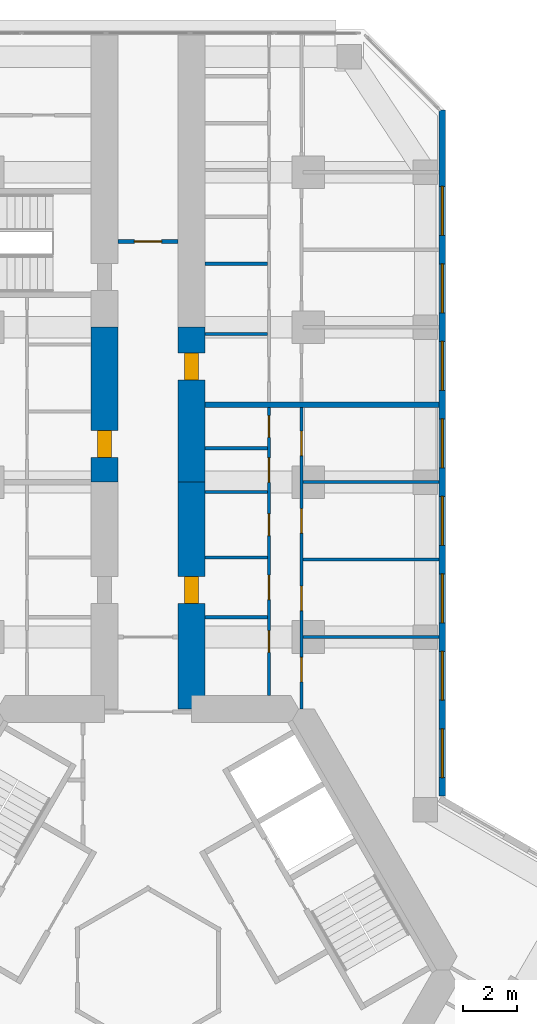
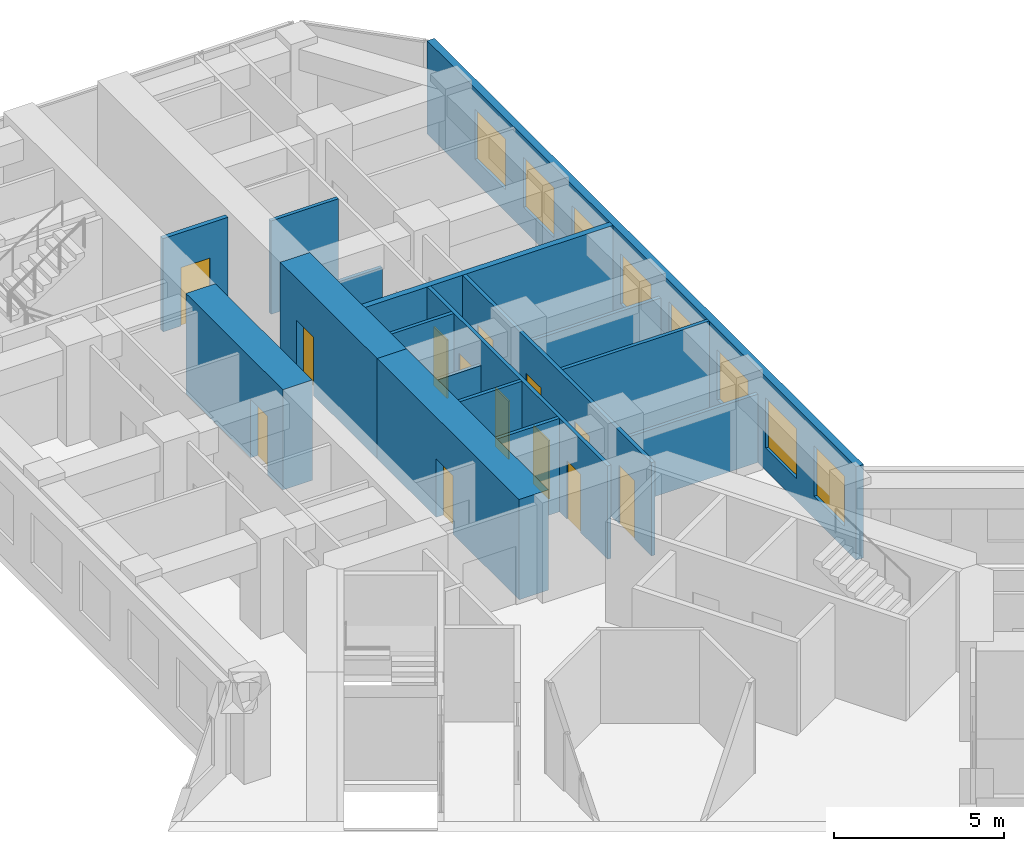
# One storey, part 18 of 21: 17 walls, 13 doors, 8 windows, 21 openings.
"""IFC4 building model written with IfcOpenShell, lengths in metres."""

from ifc_helpers import new_model, si_unit, direction, frame, frame_2d, origin, place, context, subcontext, project, spatial, rectangle, extrude, material, layer, layer_set, type_object, element, fill, save


model = new_model("IFC4")

# Units and contexts
model_context = context("Model", 3, precision=1e-05, world=origin(), true_north=direction((0.0, 1.0)))
body_context = subcontext(model_context, "Body", "Model", "MODEL_VIEW")
ifc_project = project(units=[si_unit("LENGTHUNIT", "METRE"), si_unit("AREAUNIT", "SQUARE_METRE"), si_unit("VOLUMEUNIT", "CUBIC_METRE"), si_unit("PLANEANGLEUNIT", "RADIAN"), si_unit("MASSUNIT", "GRAM", prefix="KILO")], contexts=[model_context])

# Site, building, storey
site_placement = place(None, origin())
site = spatial("IfcSite", under=ifc_project, at=site_placement, CompositionType="ELEMENT")
building_placement = place(site_placement, origin())
building = spatial("IfcBuilding", under=site, at=building_placement, Name="Kosmar Iwan School Tower", CompositionType="ELEMENT")
storey_placement = place(building_placement, frame((0.0, 0.0, 84.39990234375)))
storey = spatial("IfcBuildingStorey", under=building, at=storey_placement, Name="L20", CompositionType="ELEMENT", Elevation=84.39990234375)

# Wall, opening, door
ifc_material_1 = material(Name="Concrete C50/60", Category="concrete")
ifc_layer_1 = layer(ifc_material_1, 1.0)
ifc_layer_set_1 = layer_set([ifc_layer_1], Name="Corridor buttress wall 1000")
wall_type_1 = type_object("IfcWallType", Name="Corridor buttress wall 1000", PredefinedType="SHEAR", material=ifc_layer_set_1)
wall_1_placement = place(storey_placement, frame((-1.60009765625, 17.949951171875, 0.0), z_axis=(0.0, 0.0, 1.0), x_axis=(0.0, 1.0, 0.0)))
wall_1 = element("IfcWall", 1, at=wall_1_placement, inside=storey, type_object=wall_type_1, Name="Corridor wall AL bay 2", PredefinedType="SHEAR", context=body_context, shape_type="SweptSolid", body=[
    extrude(rectangle(XDim=5.699951171875, YDim=1.0, at=frame_2d((2.85009765625, 0.0))), origin(), (0.0, 0.0, 1.0), 3.60009765625),
])
opening_1_placement = place(wall_1_placement, frame((0.89990234375, 0.0, 0.0)))
opening_1 = element("IfcOpeningElement", 2, at=opening_1_placement, cuts=wall_1, Name="Opening D1", PredefinedType="OPENING", context=body_context, shape_type="SweptSolid", body=[
    extrude(rectangle(XDim=1.0, YDim=2.10009765625, at=frame_2d((0.5, 1.050048828125))), frame((0.0, 0.511962890625, 0.0), z_axis=(0.0, -1.0, 0.0), x_axis=(1.0, 0.0, 0.0)), (0.0, 0.0, 1.0), 1.02392578125),
])
ifc_material_2 = material(Name="Timber fire door in steel frame", Category="steel")
door_type_1 = type_object("IfcDoorType", Name="Flat entrance door 1000x2100", OperationType="SINGLE_SWING_LEFT", PredefinedType="DOOR", material=ifc_material_2)
door_1_placement = place(opening_1_placement, origin())
door_1 = element("IfcDoor", 3, at=door_1_placement, inside=storey, type_object=door_type_1, Name="Flat L20-AL2 entrance door", OperationType="SINGLE_SWING_RIGHT", OverallHeight=2.10009765625, OverallWidth=1.0, PredefinedType="DOOR", context=body_context, shape_type="SweptSolid", body=[
    extrude(rectangle(XDim=1.0, YDim=2.10009765625, at=frame_2d((0.5, 1.050048828125))), frame((0.0, 0.25, 0.0), z_axis=(0.0, -1.0, 0.0), x_axis=(1.0, 0.0, 0.0)), (0.0, 0.0, 1.0), 0.5),
])
fill(opening_1, door_1)

wall_2_placement = place(storey_placement, frame((1.60009765625, 9.60009765625, 0.0), z_axis=(0.0, 0.0, 1.0), x_axis=(0.0, 1.0, 0.0)))
wall_2 = element("IfcWall", 4, at=wall_2_placement, inside=storey, type_object=wall_type_1, Name="Corridor wall AR", PredefinedType="SHEAR", context=body_context, shape_type="SweptSolid", body=[
    extrude(rectangle(XDim=8.349853515625, YDim=1.0, at=frame_2d((4.1748046875, 0.0))), origin(), (0.0, 0.0, 1.0), 3.60009765625),
])
opening_2_placement = place(wall_2_placement, frame((3.8798828125, 0.0, 0.0)))
opening_2 = element("IfcOpeningElement", 5, at=opening_2_placement, cuts=wall_2, Name="Opening D1", PredefinedType="OPENING", context=body_context, shape_type="SweptSolid", body=[
    extrude(rectangle(XDim=1.0, YDim=2.10009765625, at=frame_2d((0.5, 1.050048828125))), frame((0.0, 0.511962890625, 0.0), z_axis=(0.0, -1.0, 0.0), x_axis=(1.0, 0.0, 0.0)), (0.0, 0.0, 1.0), 1.02392578125),
])
door_2_placement = place(opening_2_placement, origin())
door_2 = element("IfcDoor", 6, at=door_2_placement, inside=storey, type_object=door_type_1, Name="Flat L20-AR1 entrance door", OperationType="SINGLE_SWING_LEFT", OverallHeight=2.10009765625, OverallWidth=1.0, PredefinedType="DOOR", context=body_context, shape_type="SweptSolid", body=[
    extrude(rectangle(XDim=1.0, YDim=2.10009765625, at=frame_2d((0.5, 1.050048828125))), frame((0.0, 0.25, 0.0), z_axis=(0.0, -1.0, 0.0), x_axis=(1.0, 0.0, 0.0)), (0.0, 0.0, 1.0), 0.5),
])
fill(opening_2, door_2)

wall_3_placement = place(storey_placement, frame((1.60009765625, 17.949951171875, 0.0), z_axis=(0.0, 0.0, 1.0), x_axis=(0.0, 1.0, 0.0)))
wall_3 = element("IfcWall", 7, at=wall_3_placement, inside=storey, type_object=wall_type_1, Name="Corridor wall AR bay 2", PredefinedType="SHEAR", context=body_context, shape_type="SweptSolid", body=[
    extrude(rectangle(XDim=5.699951171875, YDim=1.0, at=frame_2d((2.85009765625, 0.0))), origin(), (0.0, 0.0, 1.0), 3.60009765625),
])
opening_3_placement = place(wall_3_placement, frame((3.75, 0.0, 0.0)))
opening_3 = element("IfcOpeningElement", 8, at=opening_3_placement, cuts=wall_3, Name="Opening D1", PredefinedType="OPENING", context=body_context, shape_type="SweptSolid", body=[
    extrude(rectangle(XDim=1.0, YDim=2.10009765625, at=frame_2d((0.5, 1.050048828125))), frame((0.0, 0.511962890625, 0.0), z_axis=(0.0, -1.0, 0.0), x_axis=(1.0, 0.0, 0.0)), (0.0, 0.0, 1.0), 1.02392578125),
])
door_3_placement = place(opening_3_placement, origin())
door_3 = element("IfcDoor", 9, at=door_3_placement, inside=storey, type_object=door_type_1, Name="Flat L20-AR2 entrance door", OperationType="SINGLE_SWING_RIGHT", OverallHeight=2.10009765625, OverallWidth=1.0, PredefinedType="DOOR", context=body_context, shape_type="SweptSolid", body=[
    extrude(rectangle(XDim=1.0, YDim=2.10009765625, at=frame_2d((0.5, 1.050048828125))), frame((0.0, 0.25, 0.0), z_axis=(0.0, -1.0, 0.0), x_axis=(1.0, 0.0, 0.0)), (0.0, 0.0, 1.0), 0.5),
])
fill(opening_3, door_3)

ifc_material_3 = material(Name="Gypsum board on steel studs, fire-rated", Category="steel")
ifc_layer_2 = layer(ifc_material_3, 0.14990234375)
ifc_layer_set_2 = layer_set([ifc_layer_2], Name="Corridor end wall 150")
wall_type_2 = type_object("IfcWallType", Name="Corridor end wall 150", PredefinedType="PARTITIONING", material=ifc_layer_set_2)
wall_4_placement = place(storey_placement, frame((1.10009765625, 26.800048828125, 0.0), z_axis=(0.0, 0.0, 1.0), x_axis=(-1.0, 0.0, 0.0)))
wall_4 = element("IfcWall", 10, at=wall_4_placement, inside=storey, type_object=wall_type_2, Name="Partition L20-A-CE", PredefinedType="PARTITIONING", context=body_context, shape_type="SweptSolid", body=[
    extrude(rectangle(XDim=2.2001953125, YDim=0.14990234375, at=frame_2d((1.10009765625, 0.0))), origin(), (0.0, 0.0, 1.0), 3.35009765625),
])
opening_4_placement = place(wall_4_placement, frame((0.60009765625, 0.0, 0.0)))
opening_4 = element("IfcOpeningElement", 11, at=opening_4_placement, cuts=wall_4, Name="Opening D13", PredefinedType="OPENING", context=body_context, shape_type="SweptSolid", body=[
    extrude(rectangle(XDim=1.0, YDim=2.10009765625, at=frame_2d((0.5, 1.050048828125))), frame((0.0, 0.0869140625, 0.0), z_axis=(0.0, -1.0, 0.0), x_axis=(1.0, 0.0, 0.0)), (0.0, 0.0, 1.0), 0.173828125),
])
ifc_material_4 = material(Name="Timber fire door with vision panel", Category="wood")
door_type_2 = type_object("IfcDoorType", Name="Corridor end door 1000x2100", OperationType="SINGLE_SWING_LEFT", PredefinedType="DOOR", material=ifc_material_4)
door_4_placement = place(opening_4_placement, origin())
door_4 = element("IfcDoor", 12, at=door_4_placement, inside=storey, type_object=door_type_2, Name="Laundry and drying room door L20-A", OperationType="SINGLE_SWING_RIGHT", OverallHeight=2.10009765625, OverallWidth=1.0, PredefinedType="DOOR", context=body_context, shape_type="SweptSolid", body=[
    extrude(rectangle(XDim=1.0, YDim=2.10009765625, at=frame_2d((0.5, 1.050048828125))), frame((0.0, 0.02490234375, 0.0), z_axis=(0.0, -1.0, 0.0), x_axis=(1.0, 0.0, 0.0)), (0.0, 0.0, 1.0), 0.050048828125),
])
fill(opening_4, door_4)

# Wall, openings, doors
ifc_material_5 = material(Name="Gypsum board on steel studs", Category="steel")
ifc_layer_3 = layer(ifc_material_5, 0.1201171875)
ifc_layer_set_3 = layer_set([ifc_layer_3], Name="Dwelling partition 120")
wall_type_3 = type_object("IfcWallType", Name="Dwelling partition 120", PredefinedType="PARTITIONING", material=ifc_layer_set_3)
wall_5_placement = place(storey_placement, frame((4.449951171875, 10.10009765625, 0.0), z_axis=(0.0, 0.0, 1.0), x_axis=(0.0, 1.0, 0.0)))
wall_5 = element("IfcWall", 13, at=wall_5_placement, inside=storey, type_object=wall_type_3, Name="Partition L20-AR1-W1", PredefinedType="PARTITIONING", context=body_context, shape_type="SweptSolid", body=[
    extrude(rectangle(XDim=10.599853515625, YDim=0.1201171875, at=frame_2d((5.2998046875, 0.0))), origin(), (0.0, 0.0, 1.0), 3.35009765625),
])
opening_5_placement = place(wall_5_placement, frame((1.590087890625, 0.0, 0.0)))
opening_5 = element("IfcOpeningElement", 14, at=opening_5_placement, cuts=wall_5, Name="Opening D3", PredefinedType="OPENING", context=body_context, shape_type="SweptSolid", body=[
    extrude(rectangle(XDim=0.800048828125, YDim=2.10009765625, at=frame_2d((0.39990234375, 1.050048828125))), frame((0.0, 0.072021484375, 0.0), z_axis=(0.0, -1.0, 0.0), x_axis=(1.0, 0.0, 0.0)), (0.0, 0.0, 1.0), 0.14404296875),
])
opening_6_placement = place(wall_5_placement, frame((3.530029296875, 0.0, 0.0)))
opening_6 = element("IfcOpeningElement", 15, at=opening_6_placement, cuts=wall_5, Name="Opening D2", PredefinedType="OPENING", context=body_context, shape_type="SweptSolid", body=[
    extrude(rectangle(XDim=0.89990234375, YDim=2.10009765625, at=frame_2d((0.449951171875, 1.050048828125))), frame((0.0, 0.072021484375, 0.0), z_axis=(0.0, -1.0, 0.0), x_axis=(1.0, 0.0, 0.0)), (0.0, 0.0, 1.0), 0.14404296875),
])
opening_7_placement = place(wall_5_placement, frame((5.88427734375, 0.0, 0.0)))
opening_7 = element("IfcOpeningElement", 16, at=opening_7_placement, cuts=wall_5, Name="Opening D3", PredefinedType="OPENING", context=body_context, shape_type="SweptSolid", body=[
    extrude(rectangle(XDim=0.800048828125, YDim=2.10009765625, at=frame_2d((0.39990234375, 1.050048828125))), frame((0.0, 0.072021484375, 0.0), z_axis=(0.0, -1.0, 0.0), x_axis=(1.0, 0.0, 0.0)), (0.0, 0.0, 1.0), 0.14404296875),
])
opening_8_placement = place(wall_5_placement, frame((7.841552734375, 0.0, 0.0)))
opening_8 = element("IfcOpeningElement", 17, at=opening_8_placement, cuts=wall_5, Name="Opening D2", PredefinedType="OPENING", context=body_context, shape_type="SweptSolid", body=[
    extrude(rectangle(XDim=0.89990234375, YDim=2.10009765625, at=frame_2d((0.449951171875, 1.050048828125))), frame((0.0, 0.072021484375, 0.0), z_axis=(0.0, -1.0, 0.0), x_axis=(1.0, 0.0, 0.0)), (0.0, 0.0, 1.0), 0.14404296875),
])
opening_9_placement = place(wall_5_placement, frame((9.4970703125, 0.0, 0.0)))
opening_9 = element("IfcOpeningElement", 18, at=opening_9_placement, cuts=wall_5, Name="Opening D3", PredefinedType="OPENING", context=body_context, shape_type="SweptSolid", body=[
    extrude(rectangle(XDim=0.800048828125, YDim=2.10009765625, at=frame_2d((0.39990234375, 1.050048828125))), frame((0.0, 0.072021484375, 0.0), z_axis=(0.0, -1.0, 0.0), x_axis=(1.0, 0.0, 0.0)), (0.0, 0.0, 1.0), 0.14404296875),
])
ifc_material_6 = material(Name="Timber door in timber frame", Category="wood")
door_type_3 = type_object("IfcDoorType", Name="Internal door 900x2100", OperationType="SINGLE_SWING_LEFT", PredefinedType="DOOR", material=ifc_material_6)
door_5_placement = place(opening_6_placement, origin())
door_5 = element("IfcDoor", 19, at=door_5_placement, inside=storey, type_object=door_type_3, Name="Entrance hall door L20-AR1-S2", OperationType="SINGLE_SWING_LEFT", OverallHeight=2.10009765625, OverallWidth=0.89990234375, PredefinedType="DOOR", context=body_context, shape_type="SweptSolid", body=[
    extrude(rectangle(XDim=0.89990234375, YDim=2.10009765625, at=frame_2d((0.449951171875, 1.050048828125))), frame((0.0, 0.02490234375, 0.0), z_axis=(0.0, -1.0, 0.0), x_axis=(1.0, 0.0, 0.0)), (0.0, 0.0, 1.0), 0.050048828125),
])
fill(opening_6, door_5)
door_6_placement = place(opening_8_placement, origin())
door_6 = element("IfcDoor", 20, at=door_6_placement, inside=storey, type_object=door_type_3, Name="Pantry door L20-AR1-S4", OperationType="SINGLE_SWING_LEFT", OverallHeight=2.10009765625, OverallWidth=0.89990234375, PredefinedType="DOOR", context=body_context, shape_type="SweptSolid", body=[
    extrude(rectangle(XDim=0.89990234375, YDim=2.10009765625, at=frame_2d((0.449951171875, 1.050048828125))), frame((0.0, 0.02490234375, 0.0), z_axis=(0.0, -1.0, 0.0), x_axis=(1.0, 0.0, 0.0)), (0.0, 0.0, 1.0), 0.050048828125),
])
fill(opening_8, door_6)
ifc_material_7 = material(Name="Timber door in timber frame", Category="wood")
door_type_4 = type_object("IfcDoorType", Name="Sanitary room door 800x2100", OperationType="SINGLE_SWING_LEFT", PredefinedType="DOOR", material=ifc_material_7)
door_7_placement = place(opening_5_placement, origin())
door_7 = element("IfcDoor", 21, at=door_7_placement, inside=storey, type_object=door_type_4, Name="WC door L20-AR1-S1", OperationType="SINGLE_SWING_RIGHT", OverallHeight=2.10009765625, OverallWidth=0.800048828125, PredefinedType="DOOR", context=body_context, shape_type="SweptSolid", body=[
    extrude(rectangle(XDim=0.800048828125, YDim=2.10009765625, at=frame_2d((0.39990234375, 1.050048828125))), frame((0.0, 0.02490234375, 0.0), z_axis=(0.0, -1.0, 0.0), x_axis=(1.0, 0.0, 0.0)), (0.0, 0.0, 1.0), 0.050048828125),
])
fill(opening_5, door_7)
door_8_placement = place(opening_7_placement, origin())
door_8 = element("IfcDoor", 22, at=door_8_placement, inside=storey, type_object=door_type_4, Name="Bathroom door L20-AR1-S3", OperationType="SINGLE_SWING_RIGHT", OverallHeight=2.10009765625, OverallWidth=0.800048828125, PredefinedType="DOOR", context=body_context, shape_type="SweptSolid", body=[
    extrude(rectangle(XDim=0.800048828125, YDim=2.10009765625, at=frame_2d((0.39990234375, 1.050048828125))), frame((0.0, 0.02490234375, 0.0), z_axis=(0.0, -1.0, 0.0), x_axis=(1.0, 0.0, 0.0)), (0.0, 0.0, 1.0), 0.050048828125),
])
fill(opening_7, door_8)
door_9_placement = place(opening_9_placement, origin())
door_9 = element("IfcDoor", 23, at=door_9_placement, inside=storey, type_object=door_type_4, Name="Store door L20-AR1-S5", OperationType="SINGLE_SWING_RIGHT", OverallHeight=2.10009765625, OverallWidth=0.800048828125, PredefinedType="DOOR", context=body_context, shape_type="SweptSolid", body=[
    extrude(rectangle(XDim=0.800048828125, YDim=2.10009765625, at=frame_2d((0.39990234375, 1.050048828125))), frame((0.0, 0.02490234375, 0.0), z_axis=(0.0, -1.0, 0.0), x_axis=(1.0, 0.0, 0.0)), (0.0, 0.0, 1.0), 0.050048828125),
])
fill(opening_9, door_9)

wall_6_placement = place(storey_placement, frame((5.64990234375, 9.60009765625, 0.0), z_axis=(0.0, 0.0, 1.0), x_axis=(0.0, 1.0, 0.0)))
wall_6 = element("IfcWall", 24, at=wall_6_placement, inside=storey, type_object=wall_type_3, Name="Partition L20-AR1-W2", PredefinedType="PARTITIONING", context=body_context, shape_type="SweptSolid", body=[
    extrude(rectangle(XDim=11.099853515625, YDim=0.1201171875, at=frame_2d((5.5498046875, 0.0))), origin(), (0.0, 0.0, 1.0), 3.35009765625),
])
opening_10_placement = place(wall_6_placement, frame((1.0, 0.0, 0.0)))
opening_10 = element("IfcOpeningElement", 25, at=opening_10_placement, cuts=wall_6, Name="Opening D2", PredefinedType="OPENING", context=body_context, shape_type="SweptSolid", body=[
    extrude(rectangle(XDim=0.89990234375, YDim=2.10009765625, at=frame_2d((0.449951171875, 1.050048828125))), frame((0.0, 0.072021484375, 0.0), z_axis=(0.0, -1.0, 0.0), x_axis=(1.0, 0.0, 0.0)), (0.0, 0.0, 1.0), 0.14404296875),
])
opening_11_placement = place(wall_6_placement, frame((3.625, 0.0, 0.0)))
opening_11 = element("IfcOpeningElement", 26, at=opening_11_placement, cuts=wall_6, Name="Opening D2", PredefinedType="OPENING", context=body_context, shape_type="SweptSolid", body=[
    extrude(rectangle(XDim=0.89990234375, YDim=2.10009765625, at=frame_2d((0.449951171875, 1.050048828125))), frame((0.0, 0.072021484375, 0.0), z_axis=(0.0, -1.0, 0.0), x_axis=(1.0, 0.0, 0.0)), (0.0, 0.0, 1.0), 0.14404296875),
])
opening_12_placement = place(wall_6_placement, frame((6.47509765625, 0.0, 0.0)))
opening_12 = element("IfcOpeningElement", 27, at=opening_12_placement, cuts=wall_6, Name="Opening D2", PredefinedType="OPENING", context=body_context, shape_type="SweptSolid", body=[
    extrude(rectangle(XDim=0.89990234375, YDim=2.10009765625, at=frame_2d((0.449951171875, 1.050048828125))), frame((0.0, 0.072021484375, 0.0), z_axis=(0.0, -1.0, 0.0), x_axis=(1.0, 0.0, 0.0)), (0.0, 0.0, 1.0), 0.14404296875),
])
opening_13_placement = place(wall_6_placement, frame((9.324951171875, 0.0, 0.0)))
opening_13 = element("IfcOpeningElement", 28, at=opening_13_placement, cuts=wall_6, Name="Opening D2", PredefinedType="OPENING", context=body_context, shape_type="SweptSolid", body=[
    extrude(rectangle(XDim=0.89990234375, YDim=2.10009765625, at=frame_2d((0.449951171875, 1.050048828125))), frame((0.0, 0.072021484375, 0.0), z_axis=(0.0, -1.0, 0.0), x_axis=(1.0, 0.0, 0.0)), (0.0, 0.0, 1.0), 0.14404296875),
])
door_10_placement = place(opening_10_placement, origin())
door_10 = element("IfcDoor", 29, at=door_10_placement, inside=storey, type_object=door_type_3, Name="Living room and kitchen door L20-AR1-F1", OperationType="SINGLE_SWING_LEFT", OverallHeight=2.10009765625, OverallWidth=0.89990234375, PredefinedType="DOOR", context=body_context, shape_type="SweptSolid", body=[
    extrude(rectangle(XDim=0.89990234375, YDim=2.10009765625, at=frame_2d((0.449951171875, 1.050048828125))), frame((0.0, 0.02490234375, 0.0), z_axis=(0.0, -1.0, 0.0), x_axis=(1.0, 0.0, 0.0)), (0.0, 0.0, 1.0), 0.050048828125),
])
fill(opening_10, door_10)
door_11_placement = place(opening_11_placement, origin())
door_11 = element("IfcDoor", 30, at=door_11_placement, inside=storey, type_object=door_type_3, Name="Study door L20-AR1-F2", OperationType="SINGLE_SWING_LEFT", OverallHeight=2.10009765625, OverallWidth=0.89990234375, PredefinedType="DOOR", context=body_context, shape_type="SweptSolid", body=[
    extrude(rectangle(XDim=0.89990234375, YDim=2.10009765625, at=frame_2d((0.449951171875, 1.050048828125))), frame((0.0, 0.02490234375, 0.0), z_axis=(0.0, -1.0, 0.0), x_axis=(1.0, 0.0, 0.0)), (0.0, 0.0, 1.0), 0.050048828125),
])
fill(opening_11, door_11)
door_12_placement = place(opening_12_placement, origin())
door_12 = element("IfcDoor", 31, at=door_12_placement, inside=storey, type_object=door_type_3, Name="Bedroom 1 door L20-AR1-F3", OperationType="SINGLE_SWING_RIGHT", OverallHeight=2.10009765625, OverallWidth=0.89990234375, PredefinedType="DOOR", context=body_context, shape_type="SweptSolid", body=[
    extrude(rectangle(XDim=0.89990234375, YDim=2.10009765625, at=frame_2d((0.449951171875, 1.050048828125))), frame((0.0, 0.02490234375, 0.0), z_axis=(0.0, -1.0, 0.0), x_axis=(1.0, 0.0, 0.0)), (0.0, 0.0, 1.0), 0.050048828125),
])
fill(opening_12, door_12)
door_13_placement = place(opening_13_placement, origin())
door_13 = element("IfcDoor", 32, at=door_13_placement, inside=storey, type_object=door_type_3, Name="Winter garden door L20-AR1-F4", OperationType="SINGLE_SWING_RIGHT", OverallHeight=2.10009765625, OverallWidth=0.89990234375, PredefinedType="DOOR", context=body_context, shape_type="SweptSolid", body=[
    extrude(rectangle(XDim=0.89990234375, YDim=2.10009765625, at=frame_2d((0.449951171875, 1.050048828125))), frame((0.0, 0.02490234375, 0.0), z_axis=(0.0, -1.0, 0.0), x_axis=(1.0, 0.0, 0.0)), (0.0, 0.0, 1.0), 0.050048828125),
])
fill(opening_13, door_13)

# Walls
wall_7_placement = place(storey_placement, frame((5.7099609375, 12.25, 0.0), z_axis=(0.0, 0.0, 1.0), x_axis=(1.0, 0.0, 0.0)))
element("IfcWall", 33, at=wall_7_placement, inside=storey, type_object=wall_type_3, Name="Partition L20-AR1-X1", PredefinedType="PARTITIONING", context=body_context, shape_type="SweptSolid", body=[
    extrude(rectangle(XDim=4.989990234375, YDim=0.1201171875, at=frame_2d((2.4951171875, 0.0))), origin(), (0.0, 0.0, 1.0), 2.4501953125),
])
wall_8_placement = place(storey_placement, frame((5.7099609375, 15.10009765625, 0.0), z_axis=(0.0, 0.0, 1.0), x_axis=(1.0, 0.0, 0.0)))
element("IfcWall", 34, at=wall_8_placement, inside=storey, type_object=wall_type_3, Name="Partition L20-AR1-X2", PredefinedType="PARTITIONING", context=body_context, shape_type="SweptSolid", body=[
    extrude(rectangle(XDim=4.989990234375, YDim=0.1201171875, at=frame_2d((2.4951171875, 0.0))), origin(), (0.0, 0.0, 1.0), 3.35009765625),
])
wall_9_placement = place(storey_placement, frame((5.7099609375, 17.949951171875, 0.0), z_axis=(0.0, 0.0, 1.0), x_axis=(1.0, 0.0, 0.0)))
element("IfcWall", 35, at=wall_9_placement, inside=storey, type_object=wall_type_3, Name="Partition L20-AR1-X3", PredefinedType="PARTITIONING", context=body_context, shape_type="SweptSolid", body=[
    extrude(rectangle(XDim=4.989990234375, YDim=0.1201171875, at=frame_2d((2.4951171875, 0.0))), origin(), (0.0, 0.0, 1.0), 2.4501953125),
])
for number, where, z_axis, x_axis, name in (
    (36, (2.10009765625, 12.97998046875, 0.0), (0.0, 0.0, 1.0), (1.0, 0.0, 0.0), "Partition L20-AR1-Y1"),
    (37, (2.10009765625, 15.179931640625, 0.0), (0.0, 0.0, 1.0), (1.0, 0.0, 0.0), "Partition L20-AR1-Y2"),
):
    element("IfcWall", number, at=place(storey_placement, frame(where, z_axis=z_axis, x_axis=x_axis)), inside=storey, type_object=wall_type_3, Name=name, PredefinedType="PARTITIONING", context=body_context, shape_type="SweptSolid", body=[
        extrude(rectangle(XDim=2.289794921875, YDim=0.1201171875, at=frame_2d((1.14501953125, 0.0))), origin(), (0.0, 0.0, 1.0), 3.35009765625),
    ])
wall_10_placement = place(storey_placement, frame((2.10009765625, 17.588623046875, 0.0), z_axis=(0.0, 0.0, 1.0), x_axis=(1.0, 0.0, 0.0)))
element("IfcWall", 38, at=wall_10_placement, inside=storey, type_object=wall_type_3, Name="Partition L20-AR1-Y3", PredefinedType="PARTITIONING", context=body_context, shape_type="SweptSolid", body=[
    extrude(rectangle(XDim=2.289794921875, YDim=0.1201171875, at=frame_2d((1.14501953125, 0.0))), origin(), (0.0, 0.0, 1.0), 2.4501953125),
])
wall_11_placement = place(storey_placement, frame((2.10009765625, 19.1943359375, 0.0), z_axis=(0.0, 0.0, 1.0), x_axis=(1.0, 0.0, 0.0)))
element("IfcWall", 39, at=wall_11_placement, inside=storey, type_object=wall_type_3, Name="Partition L20-AR1-Y4", PredefinedType="PARTITIONING", context=body_context, shape_type="SweptSolid", body=[
    extrude(rectangle(XDim=2.289794921875, YDim=0.1201171875, at=frame_2d((1.14501953125, 0.0))), origin(), (0.0, 0.0, 1.0), 3.35009765625),
])
wall_12_placement = place(storey_placement, frame((2.10009765625, 23.39990234375, 0.0), z_axis=(0.0, 0.0, 1.0), x_axis=(1.0, 0.0, 0.0)))
element("IfcWall", 40, at=wall_12_placement, inside=storey, type_object=wall_type_3, Name="Partition L20-AR2-Y1", PredefinedType="PARTITIONING", context=body_context, shape_type="SweptSolid", body=[
    extrude(rectangle(XDim=2.289794921875, YDim=0.1201171875, at=frame_2d((1.14501953125, 0.0))), origin(), (0.0, 0.0, 1.0), 2.4501953125),
])
wall_13_placement = place(storey_placement, frame((2.10009765625, 25.984619140625, 0.0), z_axis=(0.0, 0.0, 1.0), x_axis=(1.0, 0.0, 0.0)))
element("IfcWall", 41, at=wall_13_placement, inside=storey, type_object=wall_type_3, Name="Partition L20-AR2-Y2", PredefinedType="PARTITIONING", context=body_context, shape_type="SweptSolid", body=[
    extrude(rectangle(XDim=2.289794921875, YDim=0.1201171875, at=frame_2d((1.14501953125, 0.0))), origin(), (0.0, 0.0, 1.0), 3.35009765625),
])

# Wall, openings, windows
ifc_material_8 = material(Name="Black aluminium rainscreen on insulated framing", Category="aluminium")
ifc_layer_4 = layer(ifc_material_8, 0.25)
ifc_layer_set_4 = layer_set([ifc_layer_4], Name="External wall rainscreen 250")
wall_type_4 = type_object("IfcWallType", Name="External wall rainscreen 250", PredefinedType="SOLIDWALL", material=ifc_layer_set_4)
wall_14_placement = place(storey_placement, frame((10.824951171875, 6.408935546875, 0.0), z_axis=(0.0, 0.0, 1.0), x_axis=(0.0, 1.0, 0.0)))
wall_14 = element("IfcWall", 42, at=wall_14_placement, inside=storey, type_object=wall_type_4, Name="External wall AR L20", PredefinedType="SOLIDWALL", context=body_context, shape_type="SweptSolid", body=[
    extrude(rectangle(XDim=25.226318359375, YDim=0.25, at=frame_2d((12.61328125, 0.0))), origin(), (0.0, 0.0, 1.0), 3.35009765625),
])
opening_14_placement = place(wall_14_placement, frame((0.666015625, 0.0, 0.800048828125)))
opening_14 = element("IfcOpeningElement", 43, at=opening_14_placement, cuts=wall_14, Name="Opening W1", PredefinedType="OPENING", context=body_context, shape_type="SweptSolid", body=[
    extrude(rectangle(XDim=1.800048828125, YDim=1.800048828125, at=frame_2d((0.89990234375, 0.89990234375))), frame((0.0, 0.136962890625, 0.0), z_axis=(0.0, -1.0, 0.0), x_axis=(1.0, 0.0, 0.0)), (0.0, 0.0, 1.0), 0.27392578125),
])
opening_15_placement = place(wall_14_placement, frame((3.51611328125, 0.0, 0.800048828125)))
opening_15 = element("IfcOpeningElement", 44, at=opening_15_placement, cuts=wall_14, Name="Opening W1", PredefinedType="OPENING", context=body_context, shape_type="SweptSolid", body=[
    extrude(rectangle(XDim=1.800048828125, YDim=1.800048828125, at=frame_2d((0.89990234375, 0.89990234375))), frame((0.0, 0.136962890625, 0.0), z_axis=(0.0, -1.0, 0.0), x_axis=(1.0, 0.0, 0.0)), (0.0, 0.0, 1.0), 0.27392578125),
])
opening_16_placement = place(wall_14_placement, frame((6.365966796875, 0.0, 0.800048828125)))
opening_16 = element("IfcOpeningElement", 45, at=opening_16_placement, cuts=wall_14, Name="Opening W1", PredefinedType="OPENING", context=body_context, shape_type="SweptSolid", body=[
    extrude(rectangle(XDim=1.800048828125, YDim=1.800048828125, at=frame_2d((0.89990234375, 0.89990234375))), frame((0.0, 0.136962890625, 0.0), z_axis=(0.0, -1.0, 0.0), x_axis=(1.0, 0.0, 0.0)), (0.0, 0.0, 1.0), 0.27392578125),
])
opening_17_placement = place(wall_14_placement, frame((9.216064453125, 0.0, 0.800048828125)))
opening_17 = element("IfcOpeningElement", 46, at=opening_17_placement, cuts=wall_14, Name="Opening W1", PredefinedType="OPENING", context=body_context, shape_type="SweptSolid", body=[
    extrude(rectangle(XDim=1.800048828125, YDim=1.800048828125, at=frame_2d((0.89990234375, 0.89990234375))), frame((0.0, 0.136962890625, 0.0), z_axis=(0.0, -1.0, 0.0), x_axis=(1.0, 0.0, 0.0)), (0.0, 0.0, 1.0), 0.27392578125),
])
opening_18_placement = place(wall_14_placement, frame((12.06591796875, 0.0, 0.800048828125)))
opening_18 = element("IfcOpeningElement", 47, at=opening_18_placement, cuts=wall_14, Name="Opening W1", PredefinedType="OPENING", context=body_context, shape_type="SweptSolid", body=[
    extrude(rectangle(XDim=1.800048828125, YDim=1.800048828125, at=frame_2d((0.89990234375, 0.89990234375))), frame((0.0, 0.136962890625, 0.0), z_axis=(0.0, -1.0, 0.0), x_axis=(1.0, 0.0, 0.0)), (0.0, 0.0, 1.0), 0.27392578125),
])
opening_19_placement = place(wall_14_placement, frame((14.916015625, 0.0, 0.800048828125)))
opening_19 = element("IfcOpeningElement", 48, at=opening_19_placement, cuts=wall_14, Name="Opening W1", PredefinedType="OPENING", context=body_context, shape_type="SweptSolid", body=[
    extrude(rectangle(XDim=1.800048828125, YDim=1.800048828125, at=frame_2d((0.89990234375, 0.89990234375))), frame((0.0, 0.136962890625, 0.0), z_axis=(0.0, -1.0, 0.0), x_axis=(1.0, 0.0, 0.0)), (0.0, 0.0, 1.0), 0.27392578125),
])
opening_20_placement = place(wall_14_placement, frame((17.76611328125, 0.0, 0.800048828125)))
opening_20 = element("IfcOpeningElement", 49, at=opening_20_placement, cuts=wall_14, Name="Opening W1", PredefinedType="OPENING", context=body_context, shape_type="SweptSolid", body=[
    extrude(rectangle(XDim=1.800048828125, YDim=1.800048828125, at=frame_2d((0.89990234375, 0.89990234375))), frame((0.0, 0.136962890625, 0.0), z_axis=(0.0, -1.0, 0.0), x_axis=(1.0, 0.0, 0.0)), (0.0, 0.0, 1.0), 0.27392578125),
])
opening_21_placement = place(wall_14_placement, frame((20.615966796875, 0.0, 0.800048828125)))
opening_21 = element("IfcOpeningElement", 50, at=opening_21_placement, cuts=wall_14, Name="Opening W1", PredefinedType="OPENING", context=body_context, shape_type="SweptSolid", body=[
    extrude(rectangle(XDim=1.800048828125, YDim=1.800048828125, at=frame_2d((0.89990234375, 0.89990234375))), frame((0.0, 0.136962890625, 0.0), z_axis=(0.0, -1.0, 0.0), x_axis=(1.0, 0.0, 0.0)), (0.0, 0.0, 1.0), 0.27392578125),
])
ifc_material_9 = material(Name="Black aluminium frame with dark triple glazing", Category="aluminium")
window_type = type_object("IfcWindowType", Name="Window 1800x1800", PartitioningType="SINGLE_PANEL", PredefinedType="WINDOW", material=ifc_material_9)
window_1_placement = place(opening_14_placement, origin())
window_1 = element("IfcWindow", 51, at=window_1_placement, inside=storey, type_object=window_type, Name="Window AR L20 -1", OverallHeight=1.800048828125, OverallWidth=1.800048828125, PartitioningType="SINGLE_PANEL", PredefinedType="WINDOW", context=body_context, shape_type="SweptSolid", body=[
    extrude(rectangle(XDim=1.800048828125, YDim=1.800048828125, at=frame_2d((0.89990234375, 0.89990234375))), frame((0.0, 0.030029296875, 0.0), z_axis=(0.0, -1.0, 0.0), x_axis=(1.0, 0.0, 0.0)), (0.0, 0.0, 1.0), 0.06005859375),
])
fill(opening_14, window_1)
window_2_placement = place(opening_15_placement, origin())
window_2 = element("IfcWindow", 52, at=window_2_placement, inside=storey, type_object=window_type, Name="Window AR L20 0", OverallHeight=1.800048828125, OverallWidth=1.800048828125, PartitioningType="SINGLE_PANEL", PredefinedType="WINDOW", context=body_context, shape_type="SweptSolid", body=[
    extrude(rectangle(XDim=1.800048828125, YDim=1.800048828125, at=frame_2d((0.89990234375, 0.89990234375))), frame((0.0, 0.030029296875, 0.0), z_axis=(0.0, -1.0, 0.0), x_axis=(1.0, 0.0, 0.0)), (0.0, 0.0, 1.0), 0.06005859375),
])
fill(opening_15, window_2)
window_3_placement = place(opening_16_placement, origin())
window_3 = element("IfcWindow", 53, at=window_3_placement, inside=storey, type_object=window_type, Name="Window AR L20 1", OverallHeight=1.800048828125, OverallWidth=1.800048828125, PartitioningType="SINGLE_PANEL", PredefinedType="WINDOW", context=body_context, shape_type="SweptSolid", body=[
    extrude(rectangle(XDim=1.800048828125, YDim=1.800048828125, at=frame_2d((0.89990234375, 0.89990234375))), frame((0.0, 0.030029296875, 0.0), z_axis=(0.0, -1.0, 0.0), x_axis=(1.0, 0.0, 0.0)), (0.0, 0.0, 1.0), 0.06005859375),
])
fill(opening_16, window_3)
window_4_placement = place(opening_17_placement, origin())
window_4 = element("IfcWindow", 54, at=window_4_placement, inside=storey, type_object=window_type, Name="Window AR L20 2", OverallHeight=1.800048828125, OverallWidth=1.800048828125, PartitioningType="SINGLE_PANEL", PredefinedType="WINDOW", context=body_context, shape_type="SweptSolid", body=[
    extrude(rectangle(XDim=1.800048828125, YDim=1.800048828125, at=frame_2d((0.89990234375, 0.89990234375))), frame((0.0, 0.030029296875, 0.0), z_axis=(0.0, -1.0, 0.0), x_axis=(1.0, 0.0, 0.0)), (0.0, 0.0, 1.0), 0.06005859375),
])
fill(opening_17, window_4)
window_5_placement = place(opening_18_placement, origin())
window_5 = element("IfcWindow", 55, at=window_5_placement, inside=storey, type_object=window_type, Name="Window AR L20 3", OverallHeight=1.800048828125, OverallWidth=1.800048828125, PartitioningType="SINGLE_PANEL", PredefinedType="WINDOW", context=body_context, shape_type="SweptSolid", body=[
    extrude(rectangle(XDim=1.800048828125, YDim=1.800048828125, at=frame_2d((0.89990234375, 0.89990234375))), frame((0.0, 0.030029296875, 0.0), z_axis=(0.0, -1.0, 0.0), x_axis=(1.0, 0.0, 0.0)), (0.0, 0.0, 1.0), 0.06005859375),
])
fill(opening_18, window_5)
window_6_placement = place(opening_19_placement, origin())
window_6 = element("IfcWindow", 56, at=window_6_placement, inside=storey, type_object=window_type, Name="Window AR L20 4", OverallHeight=1.800048828125, OverallWidth=1.800048828125, PartitioningType="SINGLE_PANEL", PredefinedType="WINDOW", context=body_context, shape_type="SweptSolid", body=[
    extrude(rectangle(XDim=1.800048828125, YDim=1.800048828125, at=frame_2d((0.89990234375, 0.89990234375))), frame((0.0, 0.030029296875, 0.0), z_axis=(0.0, -1.0, 0.0), x_axis=(1.0, 0.0, 0.0)), (0.0, 0.0, 1.0), 0.06005859375),
])
fill(opening_19, window_6)
window_7_placement = place(opening_20_placement, origin())
window_7 = element("IfcWindow", 57, at=window_7_placement, inside=storey, type_object=window_type, Name="Window AR L20 5", OverallHeight=1.800048828125, OverallWidth=1.800048828125, PartitioningType="SINGLE_PANEL", PredefinedType="WINDOW", context=body_context, shape_type="SweptSolid", body=[
    extrude(rectangle(XDim=1.800048828125, YDim=1.800048828125, at=frame_2d((0.89990234375, 0.89990234375))), frame((0.0, 0.030029296875, 0.0), z_axis=(0.0, -1.0, 0.0), x_axis=(1.0, 0.0, 0.0)), (0.0, 0.0, 1.0), 0.06005859375),
])
fill(opening_20, window_7)
window_8_placement = place(opening_21_placement, origin())
window_8 = element("IfcWindow", 58, at=window_8_placement, inside=storey, type_object=window_type, Name="Window AR L20 6", OverallHeight=1.800048828125, OverallWidth=1.800048828125, PartitioningType="SINGLE_PANEL", PredefinedType="WINDOW", context=body_context, shape_type="SweptSolid", body=[
    extrude(rectangle(XDim=1.800048828125, YDim=1.800048828125, at=frame_2d((0.89990234375, 0.89990234375))), frame((0.0, 0.030029296875, 0.0), z_axis=(0.0, -1.0, 0.0), x_axis=(1.0, 0.0, 0.0)), (0.0, 0.0, 1.0), 0.06005859375),
])
fill(opening_21, window_8)

# Wall
ifc_material_10 = material(Name="Concrete block masonry", Category="masonry")
ifc_layer_5 = layer(ifc_material_10, 0.199951171875)
ifc_layer_set_5 = layer_set([ifc_layer_5], Name="Party wall 200")
wall_type_5 = type_object("IfcWallType", Name="Party wall 200", PredefinedType="PARTITIONING", material=ifc_layer_set_5)
wall_15_placement = place(storey_placement, frame((2.10009765625, 20.800048828125, 0.0), z_axis=(0.0, 0.0, 1.0), x_axis=(1.0, 0.0, 0.0)))
element("IfcWall", 59, at=wall_15_placement, inside=storey, type_object=wall_type_5, Name="Partition L20-AR2-PW", PredefinedType="PARTITIONING", context=body_context, shape_type="SweptSolid", body=[
    extrude(rectangle(XDim=8.599853515625, YDim=0.199951171875, at=frame_2d((4.2998046875, 0.0))), origin(), (0.0, 0.0, 1.0), 3.35009765625),
])

save(model, "model.ifc")
